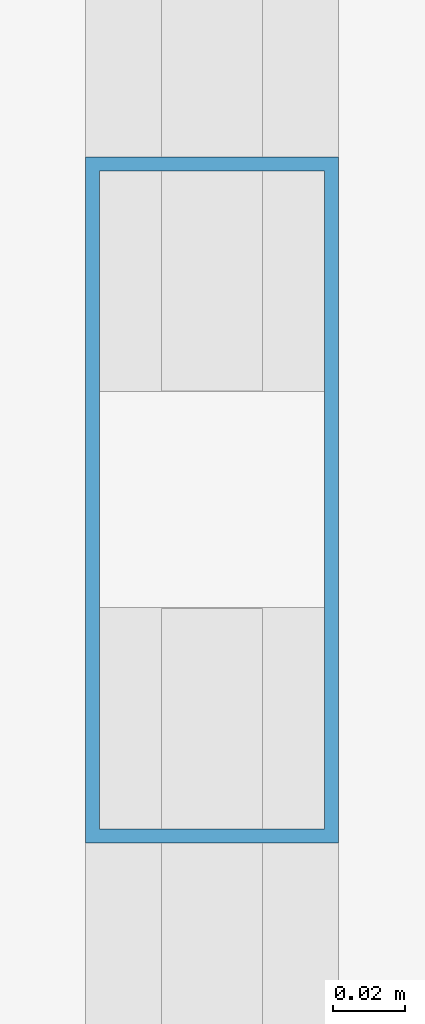
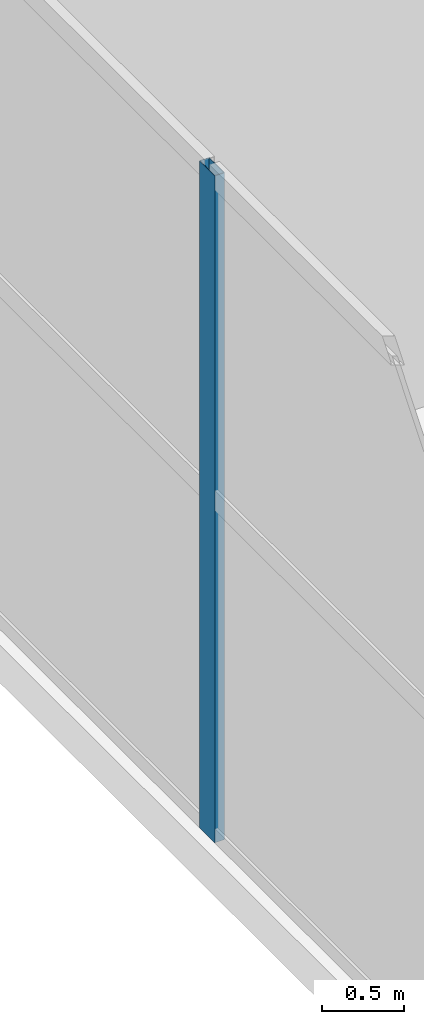
# One storey, part 4 of 40: 1 member, 1 element without a shape of its own.
"""IFC4 building model written with IfcOpenShell, lengths in metres."""

import ifcopenshell
import ifcopenshell.guid

model = None  # the IFC model being written
_history = None  # IfcOwnerHistory: only IFC2X3 demands one
_inside = {}  # id of a spatial element -> (the spatial element, [elements in it])
_under = {}  # id of a project, library or spatial element -> (it, [spatial elements below it])
_declared = {}  # id of a project -> (the project, [libraries it declares])
_typed = {}  # id of a type object -> (the type object, [elements of that type])
_made_of = {}  # id of a material, layer set ... -> (it, [elements and type objects made of it])


def new_model(schema):
    """Start an empty IFC model of exactly this schema.

    Asked for "IFC4X3", IfcOpenShell would pick the latest addendum, in which some entities
    have other attributes; the version numbers below select the first issue.
    IFC2X3 requires an IfcOwnerHistory on every rooted entity: one is made here for all.
    """
    global model, _history
    if schema == "IFC4X3":
        model = ifcopenshell.file(schema_version=(4, 3, 0, 0))
    else:
        model = ifcopenshell.file(schema=schema)
    _inside.clear()
    _under.clear()
    _declared.clear()
    _typed.clear()
    _made_of.clear()
    _history = None
    if model.schema == "IFC2X3":
        org = make("IfcOrganization", Name="unknown")
        user = make(
            "IfcPersonAndOrganization",
            ThePerson=make("IfcPerson", FamilyName="unknown"),
            TheOrganization=org,
        )
        app = make(
            "IfcApplication",
            ApplicationDeveloper=org,
            Version="unknown",
            ApplicationFullName="unknown",
            ApplicationIdentifier="unknown",
        )
        _history = make(
            "IfcOwnerHistory",
            OwningUser=user,
            OwningApplication=app,
            ChangeAction="ADDED",
            CreationDate=0,
        )
    return model


def make(cls, **values):
    """One entity of the class cls with the attributes given. An attribute that is None is left unset."""
    return model.create_entity(
        cls, **{name: value for name, value in values.items() if value is not None}
    )


def rooted(cls, **values):
    """An entity with a GlobalId (a new one), such as an element, a storey or a relation."""
    return make(cls, GlobalId=ifcopenshell.guid.new(), OwnerHistory=_history, **values)


def si_unit(unit_type, name, prefix=None):
    """IfcSIUnit, for example si_unit("LENGTHUNIT", "METRE", prefix="MILLI")."""
    return make("IfcSIUnit", UnitType=unit_type, Prefix=prefix, Name=name)


def assignment(units):
    """IfcUnitAssignment: the units of a project."""
    return None if units is None else make("IfcUnitAssignment", Units=units)


def point(xyz):
    """IfcCartesianPoint."""
    return None if xyz is None else make("IfcCartesianPoint", Coordinates=xyz)


def direction(xyz):
    """IfcDirection."""
    return None if xyz is None else make("IfcDirection", DirectionRatios=xyz)


def frame(location, z_axis=None, x_axis=None):
    """IfcAxis2Placement3D, a coordinate frame: its origin and axes. An axis left out is left unset."""
    return make(
        "IfcAxis2Placement3D",
        Location=point(location),
        Axis=direction(z_axis),
        RefDirection=direction(x_axis),
    )


def frame_2d(location, x_axis=None):
    """IfcAxis2Placement2D, a coordinate frame in the plane: its origin and x axis."""
    return make(
        "IfcAxis2Placement2D", Location=point(location), RefDirection=direction(x_axis)
    )


def origin():
    """The frame at (0, 0, 0) with its axes left unset."""
    return frame((0.0, 0.0, 0.0))


def origin_2d():
    """The frame at (0, 0) in the plane with its x axis left unset."""
    return frame_2d((0.0, 0.0))


def place(relative_to, where):
    """IfcLocalPlacement: puts the frame where relative to a parent placement (None: the world)."""
    return make(
        "IfcLocalPlacement", PlacementRelTo=relative_to, RelativePlacement=where
    )


def context(
    kind, dimensions, precision=None, world=None, true_north=None, identifier=None
):
    """IfcGeometricRepresentationContext, for example the 3D "Model" context."""
    return make(
        "IfcGeometricRepresentationContext",
        ContextIdentifier=identifier,
        ContextType=kind,
        CoordinateSpaceDimension=dimensions,
        Precision=precision,
        WorldCoordinateSystem=world,
        TrueNorth=true_north,
    )


def subcontext(parent, identifier, kind, view, scale=None):
    """IfcGeometricRepresentationSubContext, for example "Body" below "Model"."""
    return make(
        "IfcGeometricRepresentationSubContext",
        ContextIdentifier=identifier,
        ContextType=kind,
        ParentContext=parent,
        TargetScale=scale,
        TargetView=view,
    )


def project(units=None, contexts=None):
    """IfcProject with its units and contexts."""
    return rooted(
        "IfcProject",
        Name="project",
        RepresentationContexts=contexts,
        UnitsInContext=assignment(units),
    )


def spatial(cls, under=None, at=None, **own):
    """A site, building, storey or space (cls), placed at a placement, below another one or the project."""
    s = rooted(cls, ObjectPlacement=at, **own)
    if under is not None:
        _under.setdefault(under.id(), (under, []))[1].append(s)
    return s


def profile(cls, at=None, kind="AREA", **sizes):
    """A parametric profile (cls). Its sizes go by their IFC names, for example OverallWidth=200.0."""
    return make(cls, ProfileType=kind, Position=at, **sizes)


def hollow_rectangle(**sizes):
    """IfcRectangleHollowProfileDef."""
    return profile("IfcRectangleHollowProfileDef", **sizes)


def extrude(swept, where, along, depth):
    """IfcExtrudedAreaSolid: the profile swept, set in the frame where, extruded along a direction by depth."""
    return make(
        "IfcExtrudedAreaSolid",
        SweptArea=swept,
        Position=where,
        ExtrudedDirection=direction(along),
        Depth=depth,
    )


def shape(context_of_items, identifier, shape_type, items):
    """IfcShapeRepresentation: the items that make up one representation, for example the "Body"."""
    return make(
        "IfcShapeRepresentation",
        ContextOfItems=context_of_items,
        RepresentationIdentifier=identifier,
        RepresentationType=shape_type,
        Items=items,
    )


def material(Name=None, Category=None):
    """IfcMaterial."""
    return make("IfcMaterial", Name=Name, Category=Category)


def layer(
    of_material, thickness, ventilated=None, Name=None, Category=None, Priority=None
):
    """IfcMaterialLayer: one layer of a wall or slab, of a material (None: an air gap)."""
    return make(
        "IfcMaterialLayer",
        Material=of_material,
        LayerThickness=thickness,
        IsVentilated=ventilated,
        Name=Name,
        Category=Category,
        Priority=Priority,
    )


def layer_set(layers, Name=None):
    """IfcMaterialLayerSet."""
    return make("IfcMaterialLayerSet", MaterialLayers=layers, LayerSetName=Name)


def material_profile(
    of_material, cross_section, Name=None, Category=None, Priority=None
):
    """IfcMaterialProfile: a cross section and its material."""
    return make(
        "IfcMaterialProfile",
        Name=Name,
        Material=of_material,
        Profile=cross_section,
        Priority=Priority,
        Category=Category,
    )


def profile_set(profiles, Name=None, composite=None):
    """IfcMaterialProfileSet."""
    return make(
        "IfcMaterialProfileSet",
        Name=Name,
        MaterialProfiles=profiles,
        CompositeProfile=composite,
    )


def made_of(thing, what):
    """Note that an element or type object is made of a material, layer set ...; save() writes the relation."""
    if what is not None:
        _made_of.setdefault(what.id(), (what, []))[1].append(thing)
    return thing


def type_object(cls, material=None, **own):
    """A type object (cls), such as IfcWallType, which elements share."""
    return made_of(rooted(cls, **own), material)


def element(
    cls,
    number,
    at=None,
    inside=None,
    cuts=None,
    type_object=None,
    material=None,
    context=None,
    identifier="Body",
    shape_type=None,
    held_by="IfcProductDefinitionShape",
    body=None,
    shapes=None,
    **own,
):
    """One element of the class cls, such as IfcWall. Its Tag is "e" and its number.

    at: its placement. inside: the storey or other place that contains it. cuts: it is an
    opening in that element (IfcRelVoidsElement). A single representation is given by context,
    identifier, shape_type and body (its items); several are given by shapes. held_by: the class
    of the entity that holds the representations. save() writes the other relations.
    """
    e = rooted(cls, Tag="e%d" % number, ObjectPlacement=at, **own)
    if body is not None:
        shapes = [shape(context, identifier, shape_type, body)]
    if shapes is not None:
        e.Representation = make(held_by, Representations=shapes)
    if inside is not None:
        _inside.setdefault(inside.id(), (inside, []))[1].append(e)
    if cuts is not None:
        rooted(
            "IfcRelVoidsElement", RelatingBuildingElement=cuts, RelatedOpeningElement=e
        )
    if type_object is not None:
        _typed.setdefault(type_object.id(), (type_object, []))[1].append(e)
    return made_of(e, material)


def aggregate(whole, parts):
    """IfcRelAggregates: a whole, such as a stair, and the parts it consists of."""
    return rooted("IfcRelAggregates", RelatingObject=whole, RelatedObjects=parts)


def save(model, path):
    """Write the relations noted so far, then the file.

    IfcRelAggregates (storeys below a building ...), IfcRelContainedInSpatialStructure (elements
    in a storey), IfcRelDefinesByType, IfcRelAssociatesMaterial and IfcRelDeclares: one each for
    every whole, place, type object, material and project.
    """
    for whole, parts in _under.values():
        aggregate(whole, parts)
    for where, things in _inside.values():
        rooted(
            "IfcRelContainedInSpatialStructure",
            RelatedElements=things,
            RelatingStructure=where,
        )
    for kind, things in _typed.values():
        rooted("IfcRelDefinesByType", RelatedObjects=things, RelatingType=kind)
    for what, things in _made_of.values():
        rooted("IfcRelAssociatesMaterial", RelatedObjects=things, RelatingMaterial=what)
    for by, libraries in _declared.values():
        rooted("IfcRelDeclares", RelatingContext=by, RelatedDefinitions=libraries)
    model.write(path)


model = new_model("IFC4")

# Units and contexts
model_context = context("Model", 3, precision=1e-05, world=origin(), true_north=direction((0.0, 1.0)))
body_context = subcontext(model_context, "Body", "Model", "MODEL_VIEW")
ifc_project = project(units=[si_unit("LENGTHUNIT", "METRE"), si_unit("AREAUNIT", "SQUARE_METRE"), si_unit("VOLUMEUNIT", "CUBIC_METRE"), si_unit("PLANEANGLEUNIT", "RADIAN"), si_unit("MASSUNIT", "GRAM", prefix="KILO")], contexts=[model_context])

# Site, building, storey
site_placement = place(None, origin())
site = spatial("IfcSite", under=ifc_project, at=site_placement, CompositionType="ELEMENT")
building_placement = place(site_placement, origin())
building = spatial("IfcBuilding", under=site, at=building_placement, Name="Maruvema Waterfront Hotel and Observation Tower", CompositionType="ELEMENT")
storey_placement = place(building_placement, frame((0.0, 0.0, 5.60009765625)))
storey = spatial("IfcBuildingStorey", under=building, at=storey_placement, Name="L01", CompositionType="ELEMENT", Elevation=5.60009765625)

# Curtain wall, member
ifc_material_1 = material(Name="Anodised bronze aluminium and solar-control low-E IGU", Category="aluminium")
ifc_layer = layer(ifc_material_1, 0.159912109375, Name="Podium Waterfront Storefront Curtain Wall System CW-01")
ifc_layer_set = layer_set([ifc_layer], Name="Anodised bronze aluminium and solar-control low-E IGU")
curtain_wall_type = type_object("IfcCurtainWallType", Name="Podium Waterfront Storefront Curtain Wall System CW-01", PredefinedType="USERDEFINED", material=ifc_layer_set)
curtain_wall_placement = place(storey_placement, origin())
curtain_wall = element("IfcCurtainWall", 1, at=curtain_wall_placement, inside=storey, type_object=curtain_wall_type, Name="L01 Curtain Wall CW-L01-W", ObjectType="UNITISED CURTAIN WALL", PredefinedType="USERDEFINED")
ifc_material_2 = material(Name="Anodised architectural bronze aluminium", Category="aluminium")
ifc_material_profile = material_profile(ifc_material_2, hollow_rectangle(XDim=0.070068359375, YDim=0.18994140625, WallThickness=0.00390625, at=origin_2d()), Name="ALU-M70x190")
ifc_profile_set = profile_set([ifc_material_profile], Name="Anodised architectural bronze aluminium")
member_type = type_object("IfcMemberType", Name="Podium Storefront Heavy Mullion ALU-M70x190", PredefinedType="MULLION", material=ifc_profile_set)
member_placement = place(storey_placement, frame((0.1201171875, 14.639892578125, 0.0), z_axis=(0.0, 0.0, 1.0), x_axis=(1.0, 0.0, 0.0)))
member = element("IfcMember", 2, at=member_placement, type_object=member_type, Name="CW-01 mullion 5", PredefinedType="MULLION", context=body_context, shape_type="SweptSolid", body=[
    extrude(hollow_rectangle(XDim=0.070068359375, YDim=0.18994140625, WallThickness=0.00390625, at=origin_2d()), origin(), (0.0, 0.0, 1.0), 4.969970703125),
])
aggregate(curtain_wall, [member])

save(model, "model.ifc")
